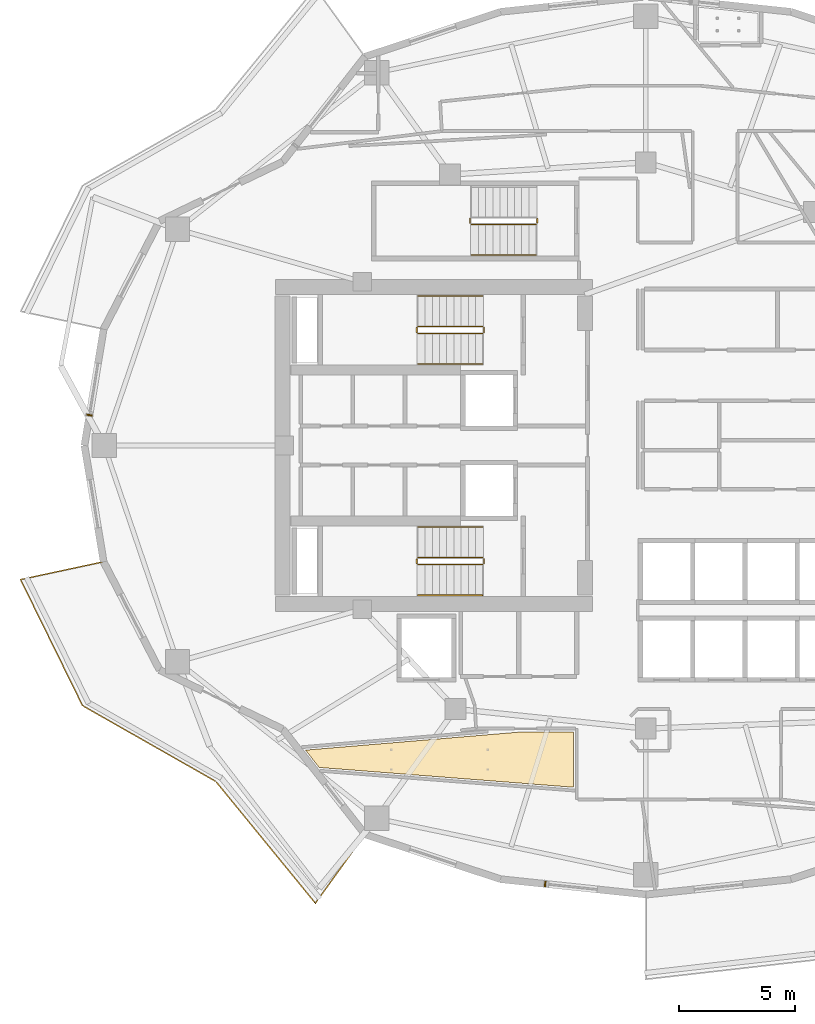
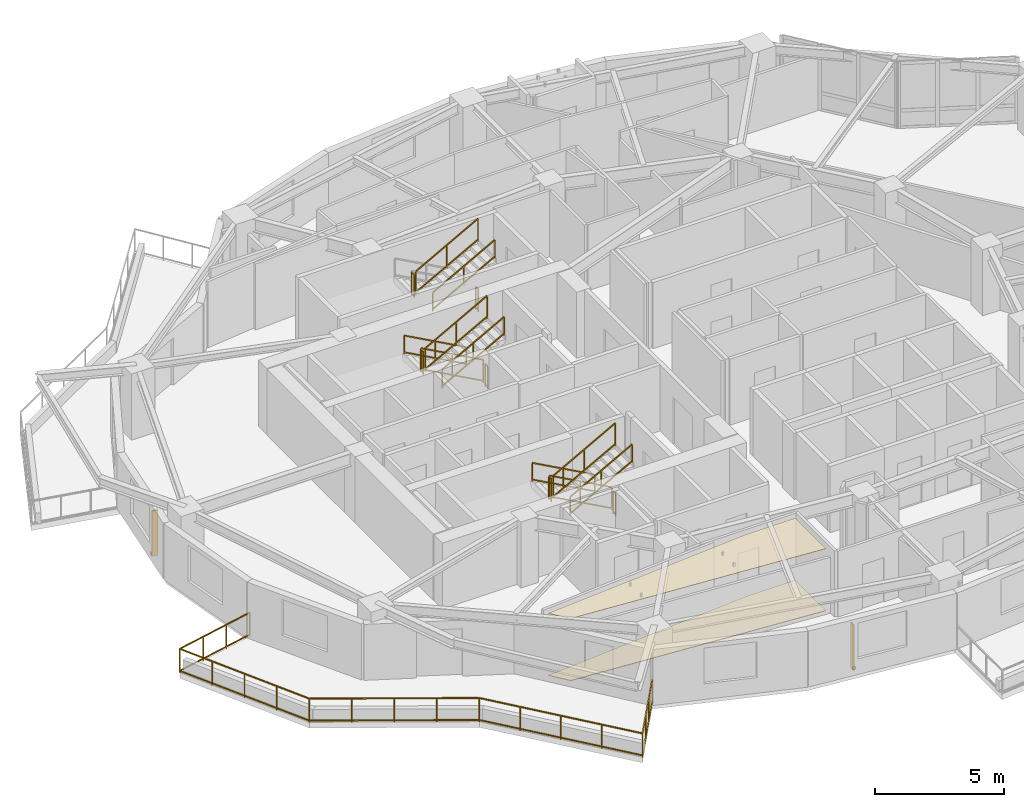
# One storey, part 16 of 18: 17 railings, 2 coverings, 2 shading devices.
"""IFC4 building model written with IfcOpenShell, lengths in metres."""

from ifc_helpers import new_model, si_unit, direction, frame, origin, origin_2d, place, context, subcontext, project, spatial, polyline, rectangle, outline, extrude, material, layer, layer_set, type_object, element, save


model = new_model("IFC4")

# Units and contexts
model_context = context("Model", 3, precision=1e-05, world=origin(), true_north=direction((0.0, 1.0)))
body_context = subcontext(model_context, "Body", "Model", "MODEL_VIEW")
ifc_project = project(units=[si_unit("LENGTHUNIT", "METRE"), si_unit("AREAUNIT", "SQUARE_METRE"), si_unit("VOLUMEUNIT", "CUBIC_METRE"), si_unit("PLANEANGLEUNIT", "RADIAN"), si_unit("MASSUNIT", "GRAM", prefix="KILO")], contexts=[model_context])

# Site, building, storey
site_placement = place(None, origin())
site = spatial("IfcSite", under=ifc_project, at=site_placement, CompositionType="ELEMENT")
building_placement = place(site_placement, origin())
building = spatial("IfcBuilding", under=site, at=building_placement, Name="Kolvaren Gate Tower and Convention Centre", CompositionType="ELEMENT")
storey_placement = place(building_placement, frame((0.0, 0.0, 135.89990234375)))
storey = spatial("IfcBuildingStorey", under=building, at=storey_placement, Name="L34", CompositionType="ELEMENT", Elevation=135.89990234375)

# Coverings
ifc_material_1 = material(Name="Perforated Mineral-Fibre Acoustic Ceiling Tile 18 mm", Category="gypsum")
ifc_layer_1 = layer(ifc_material_1, 0.01806640625)
ifc_layer_set_1 = layer_set([ifc_layer_1], Name="Perforated Mineral-Fibre Acoustic Ceiling Tile 18 mm")
covering_type_1 = type_object("IfcCoveringType", Name="ARCH-COV-CEIL-18", PredefinedType="CEILING", material=ifc_layer_set_1)
covering_1_placement = place(storey_placement, frame((0.0, 0.0, 2.9501953125)))
element("IfcCovering", 1, at=covering_1_placement, inside=storey, type_object=covering_type_1, Name="Hotel Sky Banquet Salon Acoustic Suspended Ceiling", PredefinedType="CEILING", context=body_context, shape_type="SweptSolid", body=[
    extrude(outline(polyline([(16.052978515625, 13.126953125), (15.467041015625, 13.875), (24.77587890625, 14.659912109375), (27.010009765625, 14.659912109375), (27.010009765625, 12.27392578125), (16.052978515625, 13.126953125)])), origin(), (0.0, 0.0, 1.0), 0.017822265625),
])
ifc_material_2 = material(Name="Honed Sabana Limestone Terrazzo Flooring 30 mm", Category="masonry")
ifc_layer_2 = layer(ifc_material_2, 0.030029296875)
ifc_layer_set_2 = layer_set([ifc_layer_2], Name="Honed Sabana Limestone Terrazzo Flooring 30 mm")
covering_type_2 = type_object("IfcCoveringType", Name="ARCH-COV-FLR-30", PredefinedType="FLOORING", material=ifc_layer_set_2)
covering_2_placement = place(storey_placement, origin())
element("IfcCovering", 2, at=covering_2_placement, inside=storey, type_object=covering_type_2, Name="Hotel Sky Banquet Salon Interior Finish Flooring", PredefinedType="FLOORING", context=body_context, shape_type="SweptSolid", body=[
    extrude(outline(polyline([(16.052978515625, 13.126953125), (15.467041015625, 13.875), (24.77587890625, 14.659912109375), (27.010009765625, 14.659912109375), (27.010009765625, 12.27392578125), (16.052978515625, 13.126953125)])), origin(), (0.0, 0.0, 1.0), 0.030029296875),
])

# Railings
ifc_material_3 = material(Name="Brushed Stainless Steel Grade 316L", Category="steel")
railing_type_1 = type_object("IfcRailingType", Name="ARCH-RL-GUARD-1150", PredefinedType="GUARDRAIL", material=ifc_material_3)
railing_1_placement = place(storey_placement, frame((23.10009765625, 32.1298828125, 0.170166015625)))
element("IfcRailing", 3, at=railing_1_placement, inside=storey, type_object=railing_type_1, Name="L34 ST-T1 stair guard 1", PredefinedType="GUARDRAIL", context=body_context, shape_type="SweptSolid", body=[
    extrude(rectangle(XDim=0.048095703125, YDim=0.048095703125, at=origin_2d()), frame((0.0, 0.0, 1.076171875), z_axis=(-0.876811365212, 0.0, 0.480834513982), x_axis=(0.0, -1.0, 0.0)), (0.0, 0.0, 1.0), 3.18212890625),
    extrude(rectangle(XDim=0.048095703125, YDim=0.048095703125, at=origin_2d()), frame((0.0, 0.0, 0.083984375), z_axis=(-0.876811365212, 0.0, 0.480834513982), x_axis=(0.0, -1.0, 0.0)), (0.0, 0.0, 1.0), 3.18212890625),
    extrude(rectangle(XDim=0.0419921875, YDim=0.0419921875, at=origin_2d()), origin(), (0.0, 0.0, 1.0), 1.050048828125),
    extrude(rectangle(XDim=0.0419921875, YDim=0.0419921875, at=origin_2d()), frame((-2.7900390625, 0.0, 1.530029296875)), (0.0, 0.0, 1.0), 1.050048828125),
    extrude(rectangle(XDim=0.0419921875, YDim=0.0419921875, at=origin_2d()), frame((-1.39501953125, 0.0, 0.76513671875)), (0.0, 0.0, 1.0), 1.050048828125),
])
railing_2_placement = place(storey_placement, frame((20.260009765625, 32.080078125, 1.7001953125)))
element("IfcRailing", 4, at=railing_2_placement, inside=storey, type_object=railing_type_1, Name="L34 ST-T1 stair guard 2", PredefinedType="GUARDRAIL", context=body_context, shape_type="SweptSolid", body=[
    extrude(rectangle(XDim=0.048095703125, YDim=0.048095703125, at=origin_2d()), frame((0.0, 0.0, 1.076171875), z_axis=(0.0, -1.0, 0.0), x_axis=(1.0, 0.0, 0.0)), (0.0, 0.0, 1.0), 0.2001953125),
    extrude(rectangle(XDim=0.048095703125, YDim=0.048095703125, at=origin_2d()), frame((0.0, 0.0, 0.083984375), z_axis=(0.0, -1.0, 0.0), x_axis=(1.0, 0.0, 0.0)), (0.0, 0.0, 1.0), 0.2001953125),
    extrude(rectangle(XDim=0.0419921875, YDim=0.0419921875, at=origin_2d()), origin(), (0.0, 0.0, 1.0), 1.050048828125),
    extrude(rectangle(XDim=0.0419921875, YDim=0.0419921875, at=origin_2d()), frame((0.0, -0.2001953125, 0.0)), (0.0, 0.0, 1.0), 1.050048828125),
])
railing_3_placement = place(storey_placement, frame((20.31005859375, 31.830078125, 1.8701171875)))
element("IfcRailing", 5, at=railing_3_placement, inside=storey, type_object=railing_type_1, Name="L34 ST-T1 stair guard 3", PredefinedType="GUARDRAIL", context=body_context, shape_type="SweptSolid", body=[
    extrude(rectangle(XDim=0.048095703125, YDim=0.048095703125, at=origin_2d()), frame((0.0, 0.0, 1.076171875), z_axis=(0.876811365212, 0.0, 0.480834513982), x_axis=(0.0, 1.0, 0.0)), (0.0, 0.0, 1.0), 3.18212890625),
    extrude(rectangle(XDim=0.048095703125, YDim=0.048095703125, at=origin_2d()), frame((0.0, 0.0, 0.083984375), z_axis=(0.876811365212, 0.0, 0.480834513982), x_axis=(0.0, 1.0, 0.0)), (0.0, 0.0, 1.0), 3.18212890625),
    extrude(rectangle(XDim=0.0419921875, YDim=0.0419921875, at=origin_2d()), origin(), (0.0, 0.0, 1.0), 1.050048828125),
    extrude(rectangle(XDim=0.0419921875, YDim=0.0419921875, at=origin_2d()), frame((2.7900390625, 0.0, 1.530029296875)), (0.0, 0.0, 1.0), 1.050048828125),
    extrude(rectangle(XDim=0.0419921875, YDim=0.0419921875, at=origin_2d()), frame((1.39501953125, 0.0, 0.76513671875)), (0.0, 0.0, 1.0), 1.050048828125),
])
railing_4_placement = place(storey_placement, frame((23.14990234375, 32.080078125, 0.0)))
element("IfcRailing", 6, at=railing_4_placement, inside=storey, type_object=railing_type_1, Name="L34 ST-T1 stair guard 4", PredefinedType="GUARDRAIL", context=body_context, shape_type="SweptSolid", body=[
    extrude(rectangle(XDim=0.048095703125, YDim=0.048095703125, at=origin_2d()), frame((0.0, 0.0, 1.076171875), z_axis=(0.0, -1.0, 0.0), x_axis=(1.0, 0.0, 0.0)), (0.0, 0.0, 1.0), 0.2001953125),
    extrude(rectangle(XDim=0.048095703125, YDim=0.048095703125, at=origin_2d()), frame((0.0, 0.0, 0.083984375), z_axis=(0.0, -1.0, 0.0), x_axis=(1.0, 0.0, 0.0)), (0.0, 0.0, 1.0), 0.2001953125),
    extrude(rectangle(XDim=0.0419921875, YDim=0.0419921875, at=origin_2d()), origin(), (0.0, 0.0, 1.0), 1.050048828125),
    extrude(rectangle(XDim=0.0419921875, YDim=0.0419921875, at=origin_2d()), frame((0.0, -0.2001953125, 0.0)), (0.0, 0.0, 1.0), 1.050048828125),
])
railing_5_placement = place(storey_placement, frame((23.10009765625, 22.169921875, 0.170166015625)))
element("IfcRailing", 7, at=railing_5_placement, inside=storey, type_object=railing_type_1, Name="L34 ST-T2 stair guard 1", PredefinedType="GUARDRAIL", context=body_context, shape_type="SweptSolid", body=[
    extrude(rectangle(XDim=0.048095703125, YDim=0.048095703125, at=origin_2d()), frame((0.0, 0.0, 1.076171875), z_axis=(-0.876811365212, 0.0, 0.480834513982), x_axis=(0.0, -1.0, 0.0)), (0.0, 0.0, 1.0), 3.18212890625),
    extrude(rectangle(XDim=0.048095703125, YDim=0.048095703125, at=origin_2d()), frame((0.0, 0.0, 0.083984375), z_axis=(-0.876811365212, 0.0, 0.480834513982), x_axis=(0.0, -1.0, 0.0)), (0.0, 0.0, 1.0), 3.18212890625),
    extrude(rectangle(XDim=0.0419921875, YDim=0.0419921875, at=origin_2d()), origin(), (0.0, 0.0, 1.0), 1.050048828125),
    extrude(rectangle(XDim=0.0419921875, YDim=0.0419921875, at=origin_2d()), frame((-2.7900390625, 0.0, 1.530029296875)), (0.0, 0.0, 1.0), 1.050048828125),
    extrude(rectangle(XDim=0.0419921875, YDim=0.0419921875, at=origin_2d()), frame((-1.39501953125, 0.0, 0.76513671875)), (0.0, 0.0, 1.0), 1.050048828125),
])
railing_6_placement = place(storey_placement, frame((20.260009765625, 22.1201171875, 1.7001953125)))
element("IfcRailing", 8, at=railing_6_placement, inside=storey, type_object=railing_type_1, Name="L34 ST-T2 stair guard 2", PredefinedType="GUARDRAIL", context=body_context, shape_type="SweptSolid", body=[
    extrude(rectangle(XDim=0.048095703125, YDim=0.048095703125, at=origin_2d()), frame((0.0, 0.0, 1.076171875), z_axis=(0.0, -1.0, 0.0), x_axis=(1.0, 0.0, 0.0)), (0.0, 0.0, 1.0), 0.2001953125),
    extrude(rectangle(XDim=0.048095703125, YDim=0.048095703125, at=origin_2d()), frame((0.0, 0.0, 0.083984375), z_axis=(0.0, -1.0, 0.0), x_axis=(1.0, 0.0, 0.0)), (0.0, 0.0, 1.0), 0.2001953125),
    extrude(rectangle(XDim=0.0419921875, YDim=0.0419921875, at=origin_2d()), origin(), (0.0, 0.0, 1.0), 1.050048828125),
    extrude(rectangle(XDim=0.0419921875, YDim=0.0419921875, at=origin_2d()), frame((0.0, -0.2001953125, 0.0)), (0.0, 0.0, 1.0), 1.050048828125),
])
railing_7_placement = place(storey_placement, frame((20.31005859375, 21.8701171875, 1.8701171875)))
element("IfcRailing", 9, at=railing_7_placement, inside=storey, type_object=railing_type_1, Name="L34 ST-T2 stair guard 3", PredefinedType="GUARDRAIL", context=body_context, shape_type="SweptSolid", body=[
    extrude(rectangle(XDim=0.048095703125, YDim=0.048095703125, at=origin_2d()), frame((0.0, 0.0, 1.076171875), z_axis=(0.876811365212, 0.0, 0.480834513982), x_axis=(0.0, 1.0, 0.0)), (0.0, 0.0, 1.0), 3.18212890625),
    extrude(rectangle(XDim=0.048095703125, YDim=0.048095703125, at=origin_2d()), frame((0.0, 0.0, 0.083984375), z_axis=(0.876811365212, 0.0, 0.480834513982), x_axis=(0.0, 1.0, 0.0)), (0.0, 0.0, 1.0), 3.18212890625),
    extrude(rectangle(XDim=0.0419921875, YDim=0.0419921875, at=origin_2d()), origin(), (0.0, 0.0, 1.0), 1.050048828125),
    extrude(rectangle(XDim=0.0419921875, YDim=0.0419921875, at=origin_2d()), frame((2.7900390625, 0.0, 1.530029296875)), (0.0, 0.0, 1.0), 1.050048828125),
    extrude(rectangle(XDim=0.0419921875, YDim=0.0419921875, at=origin_2d()), frame((1.39501953125, 0.0, 0.76513671875)), (0.0, 0.0, 1.0), 1.050048828125),
])
railing_8_placement = place(storey_placement, frame((23.14990234375, 22.1201171875, 0.0)))
element("IfcRailing", 10, at=railing_8_placement, inside=storey, type_object=railing_type_1, Name="L34 ST-T2 stair guard 4", PredefinedType="GUARDRAIL", context=body_context, shape_type="SweptSolid", body=[
    extrude(rectangle(XDim=0.048095703125, YDim=0.048095703125, at=origin_2d()), frame((0.0, 0.0, 1.076171875), z_axis=(0.0, -1.0, 0.0), x_axis=(1.0, 0.0, 0.0)), (0.0, 0.0, 1.0), 0.2001953125),
    extrude(rectangle(XDim=0.048095703125, YDim=0.048095703125, at=origin_2d()), frame((0.0, 0.0, 0.083984375), z_axis=(0.0, -1.0, 0.0), x_axis=(1.0, 0.0, 0.0)), (0.0, 0.0, 1.0), 0.2001953125),
    extrude(rectangle(XDim=0.0419921875, YDim=0.0419921875, at=origin_2d()), origin(), (0.0, 0.0, 1.0), 1.050048828125),
    extrude(rectangle(XDim=0.0419921875, YDim=0.0419921875, at=origin_2d()), frame((0.0, -0.2001953125, 0.0)), (0.0, 0.0, 1.0), 1.050048828125),
])
railing_9_placement = place(storey_placement, frame((22.56005859375, 36.780029296875, 1.7001953125)))
element("IfcRailing", 11, at=railing_9_placement, inside=storey, type_object=railing_type_1, Name="L34 ST-T3 stair guard 2", PredefinedType="GUARDRAIL", context=body_context, shape_type="SweptSolid", body=[
    extrude(rectangle(XDim=0.048095703125, YDim=0.048095703125, at=origin_2d()), frame((0.0, 0.0, 1.076171875), z_axis=(0.0, -1.0, 0.0), x_axis=(1.0, 0.0, 0.0)), (0.0, 0.0, 1.0), 0.199951171875),
    extrude(rectangle(XDim=0.048095703125, YDim=0.048095703125, at=origin_2d()), frame((0.0, 0.0, 0.083984375), z_axis=(0.0, -1.0, 0.0), x_axis=(1.0, 0.0, 0.0)), (0.0, 0.0, 1.0), 0.199951171875),
    extrude(rectangle(XDim=0.0419921875, YDim=0.0419921875, at=origin_2d()), origin(), (0.0, 0.0, 1.0), 1.050048828125),
    extrude(rectangle(XDim=0.0419921875, YDim=0.0419921875, at=origin_2d()), frame((0.0, -0.199951171875, 0.0)), (0.0, 0.0, 1.0), 1.050048828125),
])
railing_10_placement = place(storey_placement, frame((22.610107421875, 36.530029296875, 1.8701171875)))
element("IfcRailing", 12, at=railing_10_placement, inside=storey, type_object=railing_type_1, Name="L34 ST-T3 stair guard 3", PredefinedType="GUARDRAIL", context=body_context, shape_type="SweptSolid", body=[
    extrude(rectangle(XDim=0.048095703125, YDim=0.048095703125, at=origin_2d()), frame((0.0, 0.0, 1.076171875), z_axis=(0.8767936245, 0.0, 0.480866863109), x_axis=(0.0, 1.0, 0.0)), (0.0, 0.0, 1.0), 3.181884765625),
    extrude(rectangle(XDim=0.048095703125, YDim=0.048095703125, at=origin_2d()), frame((0.0, 0.0, 0.083984375), z_axis=(0.8767936245, 0.0, 0.480866863109), x_axis=(0.0, 1.0, 0.0)), (0.0, 0.0, 1.0), 3.181884765625),
    extrude(rectangle(XDim=0.0419921875, YDim=0.0419921875, at=origin_2d()), origin(), (0.0, 0.0, 1.0), 1.050048828125),
    extrude(rectangle(XDim=0.0419921875, YDim=0.0419921875, at=origin_2d()), frame((2.789794921875, 0.0, 1.530029296875)), (0.0, 0.0, 1.0), 1.050048828125),
    extrude(rectangle(XDim=0.0419921875, YDim=0.0419921875, at=origin_2d()), frame((1.39501953125, 0.0, 0.76513671875)), (0.0, 0.0, 1.0), 1.050048828125),
])
railing_11_placement = place(storey_placement, frame((25.449951171875, 36.780029296875, 0.0)))
element("IfcRailing", 13, at=railing_11_placement, inside=storey, type_object=railing_type_1, Name="L34 ST-T3 stair guard 4", PredefinedType="GUARDRAIL", context=body_context, shape_type="SweptSolid", body=[
    extrude(rectangle(XDim=0.048095703125, YDim=0.048095703125, at=origin_2d()), frame((0.0, 0.0, 1.076171875), z_axis=(0.0, -1.0, 0.0), x_axis=(1.0, 0.0, 0.0)), (0.0, 0.0, 1.0), 0.199951171875),
    extrude(rectangle(XDim=0.048095703125, YDim=0.048095703125, at=origin_2d()), frame((0.0, 0.0, 0.083984375), z_axis=(0.0, -1.0, 0.0), x_axis=(1.0, 0.0, 0.0)), (0.0, 0.0, 1.0), 0.199951171875),
    extrude(rectangle(XDim=0.0419921875, YDim=0.0419921875, at=origin_2d()), origin(), (0.0, 0.0, 1.0), 1.050048828125),
    extrude(rectangle(XDim=0.0419921875, YDim=0.0419921875, at=origin_2d()), frame((0.0, -0.199951171875, 0.0)), (0.0, 0.0, 1.0), 1.050048828125),
])
railing_12_placement = place(storey_placement, frame((6.76171875, 21.991943359375, 0.0)))
element("IfcRailing", 14, at=railing_12_placement, inside=storey, type_object=railing_type_1, Name="Tower L34 Terrace Perimeter Guardrail GR-2", PredefinedType="GUARDRAIL", context=body_context, shape_type="SweptSolid", body=[
    extrude(rectangle(XDim=0.048095703125, YDim=0.048095703125, at=origin_2d()), frame((-0.02734375, -0.005859375, 1.1259765625), z_axis=(-0.977788745232, -0.209592866525, 0.0), x_axis=(0.209592866525, -0.977788745232, 0.0)), (0.0, 0.0, 1.0), 3.603759765625),
    extrude(rectangle(XDim=0.048095703125, YDim=0.048095703125, at=origin_2d()), frame((-0.02734375, -0.005859375, 0.083984375), z_axis=(-0.977788745232, -0.209592866525, 0.0), x_axis=(0.209592866525, -0.977788745232, 0.0)), (0.0, 0.0, 1.0), 3.603759765625),
    extrude(rectangle(XDim=0.048095703125, YDim=0.048095703125, at=origin_2d()), frame((-3.566162109375, -0.792236328125, 1.1259765625), z_axis=(0.441237167293, -0.897390529368, 0.0), x_axis=(0.897390529368, 0.441237167293, 0.0)), (0.0, 0.0, 1.0), 5.999755859375),
    extrude(rectangle(XDim=0.048095703125, YDim=0.048095703125, at=origin_2d()), frame((-3.566162109375, -0.792236328125, 0.083984375), z_axis=(0.441237167293, -0.897390529368, 0.0), x_axis=(0.897390529368, 0.441237167293, 0.0)), (0.0, 0.0, 1.0), 5.999755859375),
    extrude(rectangle(XDim=0.048095703125, YDim=0.048095703125, at=origin_2d()), frame((-0.882080078125, -6.215576171875, 1.1259765625), z_axis=(0.869196694318, -0.494466486819, 0.0), x_axis=(0.494466486819, 0.869196694318, 0.0)), (0.0, 0.0, 1.0), 6.55029296875),
    extrude(rectangle(XDim=0.048095703125, YDim=0.048095703125, at=origin_2d()), frame((-0.882080078125, -6.215576171875, 0.083984375), z_axis=(0.869196694318, -0.494466486819, 0.0), x_axis=(0.494466486819, 0.869196694318, 0.0)), (0.0, 0.0, 1.0), 6.55029296875),
    extrude(rectangle(XDim=0.048095703125, YDim=0.048095703125, at=origin_2d()), frame((4.853515625, -9.489990234375, 1.1259765625), z_axis=(0.633002467947, -0.77414977593, 0.0), x_axis=(0.77414977593, 0.633002467947, 0.0)), (0.0, 0.0, 1.0), 6.724365234375),
    extrude(rectangle(XDim=0.048095703125, YDim=0.048095703125, at=origin_2d()), frame((4.853515625, -9.489990234375, 0.083984375), z_axis=(0.633002467947, -0.77414977593, 0.0), x_axis=(0.77414977593, 0.633002467947, 0.0)), (0.0, 0.0, 1.0), 6.724365234375),
    extrude(rectangle(XDim=0.048095703125, YDim=0.048095703125, at=origin_2d()), frame((9.14404296875, -14.694580078125, 1.1259765625), z_axis=(0.585212870465, 0.810879705161, 0.0), x_axis=(-0.810879705161, 0.585212870465, 0.0)), (0.0, 0.0, 1.0), 3.603759765625),
    extrude(rectangle(XDim=0.048095703125, YDim=0.048095703125, at=origin_2d()), frame((9.14404296875, -14.694580078125, 0.083984375), z_axis=(0.585212870465, 0.810879705161, 0.0), x_axis=(-0.810879705161, 0.585212870465, 0.0)), (0.0, 0.0, 1.0), 3.603759765625),
    extrude(rectangle(XDim=0.0419921875, YDim=0.0419921875, at=origin_2d()), origin(), (0.0, 0.0, 1.0), 1.14990234375),
    extrude(rectangle(XDim=0.0419921875, YDim=0.0419921875, at=origin_2d()), frame((-3.57861328125, -0.76708984375, 0.0)), (0.0, 0.0, 1.0), 1.14990234375),
    extrude(rectangle(XDim=0.0419921875, YDim=0.0419921875, at=origin_2d()), frame((-1.19287109375, -0.255615234375, 0.0)), (0.0, 0.0, 1.0), 1.099853515625),
    extrude(rectangle(XDim=0.0419921875, YDim=0.0419921875, at=origin_2d()), frame((-2.3857421875, -0.511474609375, 0.0)), (0.0, 0.0, 1.0), 1.099853515625),
    extrude(rectangle(XDim=0.0419921875, YDim=0.0419921875, at=origin_2d()), frame((-0.906494140625, -6.20166015625, 0.0)), (0.0, 0.0, 1.0), 1.14990234375),
    extrude(rectangle(XDim=0.0419921875, YDim=0.0419921875, at=origin_2d()), frame((-2.91064453125, -2.125732421875, 0.0)), (0.0, 0.0, 1.0), 1.099853515625),
    extrude(rectangle(XDim=0.0419921875, YDim=0.0419921875, at=origin_2d()), frame((-2.24267578125, -3.484375, 0.0)), (0.0, 0.0, 1.0), 1.099853515625),
    extrude(rectangle(XDim=0.0419921875, YDim=0.0419921875, at=origin_2d()), frame((-1.574462890625, -4.843017578125, 0.0)), (0.0, 0.0, 1.0), 1.099853515625),
    extrude(rectangle(XDim=0.0419921875, YDim=0.0419921875, at=origin_2d()), frame((4.835693359375, -9.46826171875, 0.0)), (0.0, 0.0, 1.0), 1.14990234375),
    extrude(rectangle(XDim=0.0419921875, YDim=0.0419921875, at=origin_2d()), frame((0.529052734375, -7.018310546875, 0.0)), (0.0, 0.0, 1.0), 1.099853515625),
    extrude(rectangle(XDim=0.0419921875, YDim=0.0419921875, at=origin_2d()), frame((1.964599609375, -7.8349609375, 0.0)), (0.0, 0.0, 1.0), 1.099853515625),
    extrude(rectangle(XDim=0.0419921875, YDim=0.0419921875, at=origin_2d()), frame((3.400146484375, -8.651611328125, 0.0)), (0.0, 0.0, 1.0), 1.099853515625),
    extrude(rectangle(XDim=0.0419921875, YDim=0.0419921875, at=origin_2d()), frame((9.127685546875, -14.71728515625, 0.0)), (0.0, 0.0, 1.0), 1.14990234375),
    extrude(rectangle(XDim=0.0419921875, YDim=0.0419921875, at=origin_2d()), frame((5.90869140625, -10.780517578125, 0.0)), (0.0, 0.0, 1.0), 1.099853515625),
    extrude(rectangle(XDim=0.0419921875, YDim=0.0419921875, at=origin_2d()), frame((6.981689453125, -12.0927734375, 0.0)), (0.0, 0.0, 1.0), 1.099853515625),
    extrude(rectangle(XDim=0.0419921875, YDim=0.0419921875, at=origin_2d()), frame((8.0546875, -13.405029296875, 0.0)), (0.0, 0.0, 1.0), 1.099853515625),
    extrude(rectangle(XDim=0.0419921875, YDim=0.0419921875, at=origin_2d()), frame((11.26953125, -11.74951171875, 0.0)), (0.0, 0.0, 1.0), 1.14990234375),
    extrude(rectangle(XDim=0.0419921875, YDim=0.0419921875, at=origin_2d()), frame((9.841552734375, -13.72802734375, 0.0)), (0.0, 0.0, 1.0), 1.099853515625),
    extrude(rectangle(XDim=0.0419921875, YDim=0.0419921875, at=origin_2d()), frame((10.5556640625, -12.73876953125, 0.0)), (0.0, 0.0, 1.0), 1.099853515625),
])
railing_type_2 = type_object("IfcRailingType", Name="ARCH-RL-HANDRAIL-920", PredefinedType="HANDRAIL", material=ifc_material_3)
railing_13_placement = place(storey_placement, frame((23.10009765625, 33.449951171875, 0.170166015625)))
element("IfcRailing", 15, at=railing_13_placement, inside=storey, type_object=railing_type_2, Name="L34 ST-T1 stair handrail 1", PredefinedType="HANDRAIL", context=body_context, shape_type="SweptSolid", body=[
    extrude(rectangle(XDim=0.048095703125, YDim=0.048095703125, at=origin_2d()), frame((0.0, 0.0, 0.8759765625), z_axis=(-0.876811365212, 0.0, 0.480834513982), x_axis=(0.0, -1.0, 0.0)), (0.0, 0.0, 1.0), 3.18212890625),
    extrude(rectangle(XDim=0.048095703125, YDim=0.048095703125, at=origin_2d()), frame((0.0, 0.0, 0.083984375), z_axis=(-0.876811365212, 0.0, 0.480834513982), x_axis=(0.0, -1.0, 0.0)), (0.0, 0.0, 1.0), 3.18212890625),
    extrude(rectangle(XDim=0.0419921875, YDim=0.0419921875, at=origin_2d()), origin(), (0.0, 0.0, 1.0), 0.849853515625),
    extrude(rectangle(XDim=0.0419921875, YDim=0.0419921875, at=origin_2d()), frame((-2.7900390625, 0.0, 1.530029296875)), (0.0, 0.0, 1.0), 0.849853515625),
    extrude(rectangle(XDim=0.0419921875, YDim=0.0419921875, at=origin_2d()), frame((-1.39501953125, 0.0, 0.76513671875)), (0.0, 0.0, 1.0), 0.849853515625),
])
railing_14_placement = place(storey_placement, frame((20.31005859375, 30.510009765625, 1.8701171875)))
element("IfcRailing", 16, at=railing_14_placement, inside=storey, type_object=railing_type_2, Name="L34 ST-T1 stair handrail 2", PredefinedType="HANDRAIL", context=body_context, shape_type="SweptSolid", body=[
    extrude(rectangle(XDim=0.048095703125, YDim=0.048095703125, at=origin_2d()), frame((0.0, 0.0, 0.8759765625), z_axis=(0.876811365212, 0.0, 0.480834513982), x_axis=(0.0, 1.0, 0.0)), (0.0, 0.0, 1.0), 3.18212890625),
    extrude(rectangle(XDim=0.048095703125, YDim=0.048095703125, at=origin_2d()), frame((0.0, 0.0, 0.083984375), z_axis=(0.876811365212, 0.0, 0.480834513982), x_axis=(0.0, 1.0, 0.0)), (0.0, 0.0, 1.0), 3.18212890625),
    extrude(rectangle(XDim=0.0419921875, YDim=0.0419921875, at=origin_2d()), origin(), (0.0, 0.0, 1.0), 0.849853515625),
    extrude(rectangle(XDim=0.0419921875, YDim=0.0419921875, at=origin_2d()), frame((2.7900390625, 0.0, 1.530029296875)), (0.0, 0.0, 1.0), 0.849853515625),
    extrude(rectangle(XDim=0.0419921875, YDim=0.0419921875, at=origin_2d()), frame((1.39501953125, 0.0, 0.76513671875)), (0.0, 0.0, 1.0), 0.849853515625),
])
railing_15_placement = place(storey_placement, frame((23.10009765625, 23.489990234375, 0.170166015625)))
element("IfcRailing", 17, at=railing_15_placement, inside=storey, type_object=railing_type_2, Name="L34 ST-T2 stair handrail 1", PredefinedType="HANDRAIL", context=body_context, shape_type="SweptSolid", body=[
    extrude(rectangle(XDim=0.048095703125, YDim=0.048095703125, at=origin_2d()), frame((0.0, 0.0, 0.8759765625), z_axis=(-0.876811365212, 0.0, 0.480834513982), x_axis=(0.0, -1.0, 0.0)), (0.0, 0.0, 1.0), 3.18212890625),
    extrude(rectangle(XDim=0.048095703125, YDim=0.048095703125, at=origin_2d()), frame((0.0, 0.0, 0.083984375), z_axis=(-0.876811365212, 0.0, 0.480834513982), x_axis=(0.0, -1.0, 0.0)), (0.0, 0.0, 1.0), 3.18212890625),
    extrude(rectangle(XDim=0.0419921875, YDim=0.0419921875, at=origin_2d()), origin(), (0.0, 0.0, 1.0), 0.849853515625),
    extrude(rectangle(XDim=0.0419921875, YDim=0.0419921875, at=origin_2d()), frame((-2.7900390625, 0.0, 1.530029296875)), (0.0, 0.0, 1.0), 0.849853515625),
    extrude(rectangle(XDim=0.0419921875, YDim=0.0419921875, at=origin_2d()), frame((-1.39501953125, 0.0, 0.76513671875)), (0.0, 0.0, 1.0), 0.849853515625),
])
railing_16_placement = place(storey_placement, frame((20.31005859375, 20.550048828125, 1.8701171875)))
element("IfcRailing", 18, at=railing_16_placement, inside=storey, type_object=railing_type_2, Name="L34 ST-T2 stair handrail 2", PredefinedType="HANDRAIL", context=body_context, shape_type="SweptSolid", body=[
    extrude(rectangle(XDim=0.048095703125, YDim=0.048095703125, at=origin_2d()), frame((0.0, 0.0, 0.8759765625), z_axis=(0.876811365212, 0.0, 0.480834513982), x_axis=(0.0, 1.0, 0.0)), (0.0, 0.0, 1.0), 3.18212890625),
    extrude(rectangle(XDim=0.048095703125, YDim=0.048095703125, at=origin_2d()), frame((0.0, 0.0, 0.083984375), z_axis=(0.876811365212, 0.0, 0.480834513982), x_axis=(0.0, 1.0, 0.0)), (0.0, 0.0, 1.0), 3.18212890625),
    extrude(rectangle(XDim=0.0419921875, YDim=0.0419921875, at=origin_2d()), origin(), (0.0, 0.0, 1.0), 0.849853515625),
    extrude(rectangle(XDim=0.0419921875, YDim=0.0419921875, at=origin_2d()), frame((2.7900390625, 0.0, 1.530029296875)), (0.0, 0.0, 1.0), 0.849853515625),
    extrude(rectangle(XDim=0.0419921875, YDim=0.0419921875, at=origin_2d()), frame((1.39501953125, 0.0, 0.76513671875)), (0.0, 0.0, 1.0), 0.849853515625),
])
railing_17_placement = place(storey_placement, frame((22.610107421875, 35.2099609375, 1.8701171875)))
element("IfcRailing", 19, at=railing_17_placement, inside=storey, type_object=railing_type_2, Name="L34 ST-T3 stair handrail 2", PredefinedType="HANDRAIL", context=body_context, shape_type="SweptSolid", body=[
    extrude(rectangle(XDim=0.048095703125, YDim=0.048095703125, at=origin_2d()), frame((0.0, 0.0, 0.8759765625), z_axis=(0.8767936245, 0.0, 0.480866863109), x_axis=(0.0, 1.0, 0.0)), (0.0, 0.0, 1.0), 3.181884765625),
    extrude(rectangle(XDim=0.048095703125, YDim=0.048095703125, at=origin_2d()), frame((0.0, 0.0, 0.083984375), z_axis=(0.8767936245, 0.0, 0.480866863109), x_axis=(0.0, 1.0, 0.0)), (0.0, 0.0, 1.0), 3.181884765625),
    extrude(rectangle(XDim=0.0419921875, YDim=0.0419921875, at=origin_2d()), origin(), (0.0, 0.0, 1.0), 0.849853515625),
    extrude(rectangle(XDim=0.0419921875, YDim=0.0419921875, at=origin_2d()), frame((2.789794921875, 0.0, 1.530029296875)), (0.0, 0.0, 1.0), 0.849853515625),
    extrude(rectangle(XDim=0.0419921875, YDim=0.0419921875, at=origin_2d()), frame((1.39501953125, 0.0, 0.76513671875)), (0.0, 0.0, 1.0), 0.849853515625),
])

# Shading devices
ifc_material_4 = material(Name="Kiln-Fired Bogota Terracotta Ceramic Louvre Profile", Category="masonry")
shading_device_type = type_object("IfcShadingDeviceType", Name="ARCH-SHD-FIN-180", PredefinedType="JALOUSIE", material=ifc_material_4)
for number, where, z_axis, x_axis, name in (
    (20, (6.1533203125, 28.310302734375, 0.22021484375), (0.0, 0.0, 1.0), (0.162389178836, 0.986726788223, 0.0), "Ceramic Vertical Brise-Soleil Fin FN-L34-11"),
    (21, (25.791015625, 8.1064453125, 0.22021484375), (0.0, 0.0, 1.0), (0.994499981166, -0.104736753152, 0.0), "Ceramic Vertical Brise-Soleil Fin FN-L34-17"),
):
    element("IfcShadingDevice", number, at=place(storey_placement, frame(where, z_axis=z_axis, x_axis=x_axis)), inside=storey, type_object=shading_device_type, Name=name, PredefinedType="JALOUSIE", context=body_context, shape_type="SweptSolid", body=[
        extrude(rectangle(XDim=0.06005859375, YDim=0.239990234375, at=origin_2d()), origin(), (0.0, 0.0, 1.0), 2.14990234375),
    ])

save(model, "model.ifc")
